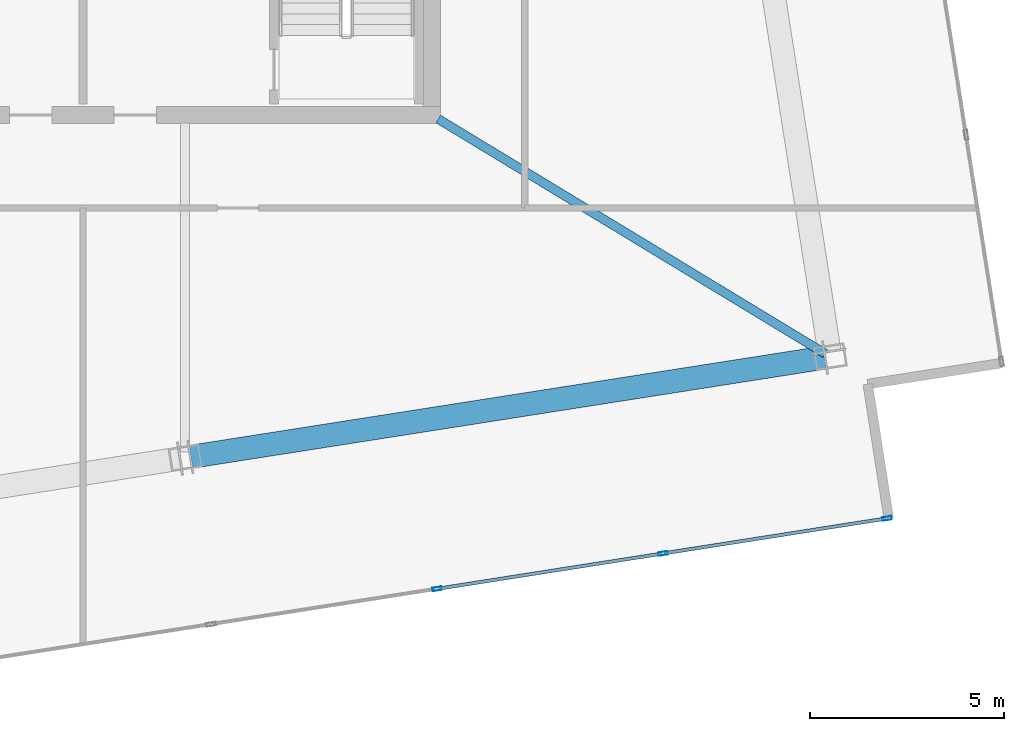
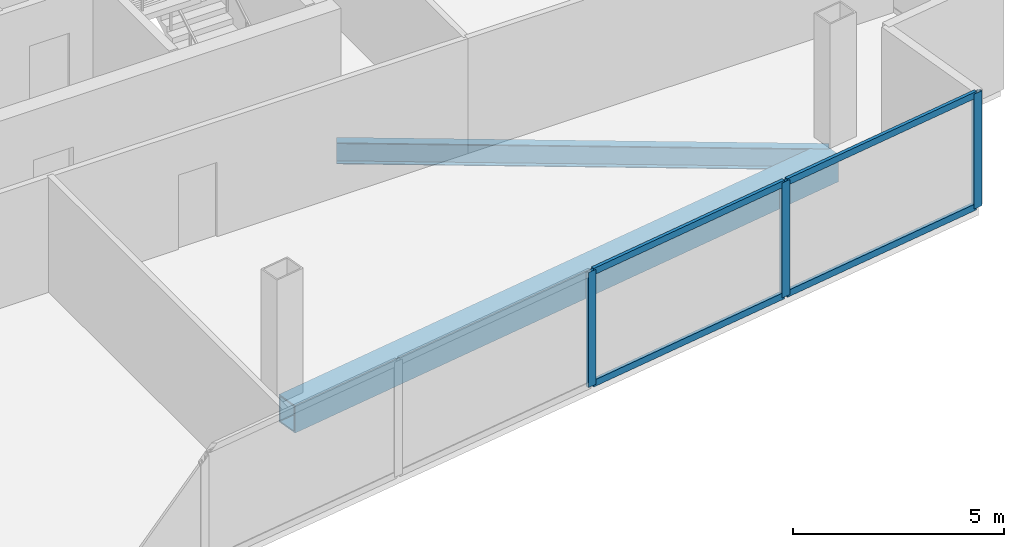
# One storey, part 6 of 17: 7 members, 2 beams, 1 element without a shape of its own.
"""IFC4 building model written with IfcOpenShell, lengths in metres."""

import ifcopenshell
import ifcopenshell.guid

model = None  # the IFC model being written
_history = None  # IfcOwnerHistory: only IFC2X3 demands one
_inside = {}  # id of a spatial element -> (the spatial element, [elements in it])
_under = {}  # id of a project, library or spatial element -> (it, [spatial elements below it])
_declared = {}  # id of a project -> (the project, [libraries it declares])
_typed = {}  # id of a type object -> (the type object, [elements of that type])
_made_of = {}  # id of a material, layer set ... -> (it, [elements and type objects made of it])


def new_model(schema):
    """Start an empty IFC model of exactly this schema.

    Asked for "IFC4X3", IfcOpenShell would pick the latest addendum, in which some entities
    have other attributes; the version numbers below select the first issue.
    IFC2X3 requires an IfcOwnerHistory on every rooted entity: one is made here for all.
    """
    global model, _history
    if schema == "IFC4X3":
        model = ifcopenshell.file(schema_version=(4, 3, 0, 0))
    else:
        model = ifcopenshell.file(schema=schema)
    _inside.clear()
    _under.clear()
    _declared.clear()
    _typed.clear()
    _made_of.clear()
    _history = None
    if model.schema == "IFC2X3":
        org = make("IfcOrganization", Name="unknown")
        user = make(
            "IfcPersonAndOrganization",
            ThePerson=make("IfcPerson", FamilyName="unknown"),
            TheOrganization=org,
        )
        app = make(
            "IfcApplication",
            ApplicationDeveloper=org,
            Version="unknown",
            ApplicationFullName="unknown",
            ApplicationIdentifier="unknown",
        )
        _history = make(
            "IfcOwnerHistory",
            OwningUser=user,
            OwningApplication=app,
            ChangeAction="ADDED",
            CreationDate=0,
        )
    return model


def make(cls, **values):
    """One entity of the class cls with the attributes given. An attribute that is None is left unset."""
    return model.create_entity(
        cls, **{name: value for name, value in values.items() if value is not None}
    )


def rooted(cls, **values):
    """An entity with a GlobalId (a new one), such as an element, a storey or a relation."""
    return make(cls, GlobalId=ifcopenshell.guid.new(), OwnerHistory=_history, **values)


def si_unit(unit_type, name, prefix=None):
    """IfcSIUnit, for example si_unit("LENGTHUNIT", "METRE", prefix="MILLI")."""
    return make("IfcSIUnit", UnitType=unit_type, Prefix=prefix, Name=name)


def assignment(units):
    """IfcUnitAssignment: the units of a project."""
    return None if units is None else make("IfcUnitAssignment", Units=units)


def point(xyz):
    """IfcCartesianPoint."""
    return None if xyz is None else make("IfcCartesianPoint", Coordinates=xyz)


def direction(xyz):
    """IfcDirection."""
    return None if xyz is None else make("IfcDirection", DirectionRatios=xyz)


def frame(location, z_axis=None, x_axis=None):
    """IfcAxis2Placement3D, a coordinate frame: its origin and axes. An axis left out is left unset."""
    return make(
        "IfcAxis2Placement3D",
        Location=point(location),
        Axis=direction(z_axis),
        RefDirection=direction(x_axis),
    )


def frame_2d(location, x_axis=None):
    """IfcAxis2Placement2D, a coordinate frame in the plane: its origin and x axis."""
    return make(
        "IfcAxis2Placement2D", Location=point(location), RefDirection=direction(x_axis)
    )


def origin():
    """The frame at (0, 0, 0) with its axes left unset."""
    return frame((0.0, 0.0, 0.0))


def origin_2d():
    """The frame at (0, 0) in the plane with its x axis left unset."""
    return frame_2d((0.0, 0.0))


def place(relative_to, where):
    """IfcLocalPlacement: puts the frame where relative to a parent placement (None: the world)."""
    return make(
        "IfcLocalPlacement", PlacementRelTo=relative_to, RelativePlacement=where
    )


def context(
    kind, dimensions, precision=None, world=None, true_north=None, identifier=None
):
    """IfcGeometricRepresentationContext, for example the 3D "Model" context."""
    return make(
        "IfcGeometricRepresentationContext",
        ContextIdentifier=identifier,
        ContextType=kind,
        CoordinateSpaceDimension=dimensions,
        Precision=precision,
        WorldCoordinateSystem=world,
        TrueNorth=true_north,
    )


def subcontext(parent, identifier, kind, view, scale=None):
    """IfcGeometricRepresentationSubContext, for example "Body" below "Model"."""
    return make(
        "IfcGeometricRepresentationSubContext",
        ContextIdentifier=identifier,
        ContextType=kind,
        ParentContext=parent,
        TargetScale=scale,
        TargetView=view,
    )


def project(units=None, contexts=None):
    """IfcProject with its units and contexts."""
    return rooted(
        "IfcProject",
        Name="project",
        RepresentationContexts=contexts,
        UnitsInContext=assignment(units),
    )


def spatial(cls, under=None, at=None, **own):
    """A site, building, storey or space (cls), placed at a placement, below another one or the project."""
    s = rooted(cls, ObjectPlacement=at, **own)
    if under is not None:
        _under.setdefault(under.id(), (under, []))[1].append(s)
    return s


def profile(cls, at=None, kind="AREA", **sizes):
    """A parametric profile (cls). Its sizes go by their IFC names, for example OverallWidth=200.0."""
    return make(cls, ProfileType=kind, Position=at, **sizes)


def hollow_rectangle(**sizes):
    """IfcRectangleHollowProfileDef."""
    return profile("IfcRectangleHollowProfileDef", **sizes)


def i_section(**sizes):
    """IfcIShapeProfileDef."""
    return profile("IfcIShapeProfileDef", **sizes)


def extrude(swept, where, along, depth):
    """IfcExtrudedAreaSolid: the profile swept, set in the frame where, extruded along a direction by depth."""
    return make(
        "IfcExtrudedAreaSolid",
        SweptArea=swept,
        Position=where,
        ExtrudedDirection=direction(along),
        Depth=depth,
    )


def shape(context_of_items, identifier, shape_type, items):
    """IfcShapeRepresentation: the items that make up one representation, for example the "Body"."""
    return make(
        "IfcShapeRepresentation",
        ContextOfItems=context_of_items,
        RepresentationIdentifier=identifier,
        RepresentationType=shape_type,
        Items=items,
    )


def material(Name=None, Category=None):
    """IfcMaterial."""
    return make("IfcMaterial", Name=Name, Category=Category)


def material_profile(
    of_material, cross_section, Name=None, Category=None, Priority=None
):
    """IfcMaterialProfile: a cross section and its material."""
    return make(
        "IfcMaterialProfile",
        Name=Name,
        Material=of_material,
        Profile=cross_section,
        Priority=Priority,
        Category=Category,
    )


def profile_set(profiles, Name=None, composite=None):
    """IfcMaterialProfileSet."""
    return make(
        "IfcMaterialProfileSet",
        Name=Name,
        MaterialProfiles=profiles,
        CompositeProfile=composite,
    )


def made_of(thing, what):
    """Note that an element or type object is made of a material, layer set ...; save() writes the relation."""
    if what is not None:
        _made_of.setdefault(what.id(), (what, []))[1].append(thing)
    return thing


def type_object(cls, material=None, **own):
    """A type object (cls), such as IfcWallType, which elements share."""
    return made_of(rooted(cls, **own), material)


def element(
    cls,
    number,
    at=None,
    inside=None,
    cuts=None,
    type_object=None,
    material=None,
    context=None,
    identifier="Body",
    shape_type=None,
    held_by="IfcProductDefinitionShape",
    body=None,
    shapes=None,
    **own,
):
    """One element of the class cls, such as IfcWall. Its Tag is "e" and its number.

    at: its placement. inside: the storey or other place that contains it. cuts: it is an
    opening in that element (IfcRelVoidsElement). A single representation is given by context,
    identifier, shape_type and body (its items); several are given by shapes. held_by: the class
    of the entity that holds the representations. save() writes the other relations.
    """
    e = rooted(cls, Tag="e%d" % number, ObjectPlacement=at, **own)
    if body is not None:
        shapes = [shape(context, identifier, shape_type, body)]
    if shapes is not None:
        e.Representation = make(held_by, Representations=shapes)
    if inside is not None:
        _inside.setdefault(inside.id(), (inside, []))[1].append(e)
    if cuts is not None:
        rooted(
            "IfcRelVoidsElement", RelatingBuildingElement=cuts, RelatedOpeningElement=e
        )
    if type_object is not None:
        _typed.setdefault(type_object.id(), (type_object, []))[1].append(e)
    return made_of(e, material)


def aggregate(whole, parts):
    """IfcRelAggregates: a whole, such as a stair, and the parts it consists of."""
    return rooted("IfcRelAggregates", RelatingObject=whole, RelatedObjects=parts)


def save(model, path):
    """Write the relations noted so far, then the file.

    IfcRelAggregates (storeys below a building ...), IfcRelContainedInSpatialStructure (elements
    in a storey), IfcRelDefinesByType, IfcRelAssociatesMaterial and IfcRelDeclares: one each for
    every whole, place, type object, material and project.
    """
    for whole, parts in _under.values():
        aggregate(whole, parts)
    for where, things in _inside.values():
        rooted(
            "IfcRelContainedInSpatialStructure",
            RelatedElements=things,
            RelatingStructure=where,
        )
    for kind, things in _typed.values():
        rooted("IfcRelDefinesByType", RelatedObjects=things, RelatingType=kind)
    for what, things in _made_of.values():
        rooted("IfcRelAssociatesMaterial", RelatedObjects=things, RelatingMaterial=what)
    for by, libraries in _declared.values():
        rooted("IfcRelDeclares", RelatingContext=by, RelatedDefinitions=libraries)
    model.write(path)


model = new_model("IFC4")

# Units and contexts
model_context = context("Model", 3, precision=1e-05, world=origin(), true_north=direction((0.0, 1.0)))
body_context = subcontext(model_context, "Body", "Model", "MODEL_VIEW")
ifc_project = project(units=[si_unit("LENGTHUNIT", "METRE"), si_unit("AREAUNIT", "SQUARE_METRE"), si_unit("VOLUMEUNIT", "CUBIC_METRE"), si_unit("PLANEANGLEUNIT", "RADIAN"), si_unit("MASSUNIT", "GRAM", prefix="KILO")], contexts=[model_context])

# Site, building, storey
site_placement = place(None, origin())
site = spatial("IfcSite", under=ifc_project, at=site_placement, CompositionType="ELEMENT")
building_placement = place(site_placement, origin())
building = spatial("IfcBuilding", under=site, at=building_placement, Name="Haldenkirk Collegiate Tower", CompositionType="ELEMENT")
storey_placement = place(building_placement, frame((0.0, 0.0, 367.800048828125)))
storey = spatial("IfcBuildingStorey", under=building, at=storey_placement, Name="L93", CompositionType="ELEMENT", Elevation=367.800048828125)

# Beams
ifc_material_1 = material(Name="Steel ASTM A992 Grade 50", Category="steel")
ifc_material_profile_1 = material_profile(ifc_material_1, i_section(OverallWidth=0.22998046875, OverallDepth=0.616943359375, WebThickness=0.01318359375, FlangeThickness=0.022216796875, at=origin_2d()), Name="W24X94")
ifc_profile_set_1 = profile_set([ifc_material_profile_1], Name="Steel ASTM A992 Grade 50")
beam_type_1 = type_object("IfcBeamType", Name="BM-GIRDER-W24X94", PredefinedType="BEAM", material=ifc_profile_set_1)
beam_1_placement = place(storey_placement, frame((55.156494140625, 11.840087890625, -0.57861328125), z_axis=(-0.855035491558, 0.518569482496, 0.0), x_axis=(-0.518569482496, -0.855035491558, 0.0)))
element("IfcBeam", 1, at=beam_1_placement, inside=storey, type_object=beam_type_1, Name="L93 crown radial floor beam 1", PredefinedType="BEAM", context=body_context, shape_type="SweptSolid", body=[
    extrude(i_section(OverallWidth=0.22998046875, OverallDepth=0.616943359375, WebThickness=0.01318359375, FlangeThickness=0.022216796875, at=origin_2d()), origin(), (0.0, 0.0, 1.0), 11.678466796875),
])
ifc_material_2 = material(Name="Steel ASTM A572 Grade 50", Category="steel")
ifc_material_profile_2 = material_profile(ifc_material_2, hollow_rectangle(XDim=0.60009765625, YDim=0.800048828125, WallThickness=0.0400390625, at=origin_2d()), Name="BOX800X600X40")
ifc_profile_set_2 = profile_set([ifc_material_profile_2], Name="Steel ASTM A572 Grade 50")
beam_type_2 = type_object("IfcBeamType", Name="BM-SPANDREL-BOX800X600X40", PredefinedType="SPANDREL", material=ifc_profile_set_2)
beam_2_placement = place(storey_placement, frame((38.785888671875, 9.178466796875, -0.670166015625), z_axis=(0.987959171117, 0.154714822192, 0.0), x_axis=(-0.154714822192, 0.987959171117, 0.0)))
element("IfcBeam", 2, at=beam_2_placement, inside=storey, type_object=beam_type_2, Name="L93 Crown Ring Frame perimeter girder 8", PredefinedType="SPANDREL", context=body_context, shape_type="SweptSolid", body=[
    extrude(hollow_rectangle(XDim=0.60009765625, YDim=0.800048828125, WallThickness=0.0400390625, at=origin_2d()), origin(), (0.0, 0.0, 1.0), 16.550048828125),
])

# Curtain wall, members
ifc_material_3 = material(Name="Anodised architectural bronze aluminium", Category="aluminium")
curtain_wall_type = type_object("IfcCurtainWallType", Name="CW-SYS6-CROWN", PredefinedType="USERDEFINED", material=ifc_material_3)
curtain_wall_placement = place(storey_placement, origin())
curtain_wall = element("IfcCurtainWall", 3, at=curtain_wall_placement, inside=storey, type_object=curtain_wall_type, Name="L93 Closed crown ring ceramic-fritted bronze screen curtain wall", ObjectType="UNITISED CURTAIN WALL", PredefinedType="USERDEFINED")
ifc_material_profile_3 = material_profile(ifc_material_3, hollow_rectangle(XDim=0.090087890625, YDim=0.239990234375, WallThickness=0.0048828125, at=origin_2d()), Name="CW-MUL-06")
ifc_profile_set_3 = profile_set([ifc_material_profile_3], Name="Anodised architectural bronze aluminium")
member_type_1 = type_object("IfcMemberType", Name="CW-MUL-06", PredefinedType="MULLION", material=ifc_profile_set_3)
member_1_placement = place(storey_placement, frame((56.753173828125, 7.589111328125, 0.0), z_axis=(0.0, 0.0, 1.0), x_axis=(0.154708982189, -0.987960085646, 0.0)))
member_1 = element("IfcMember", 4, at=member_1_placement, type_object=member_type_1, Name="CW-06 mullion 1", PredefinedType="MULLION", context=body_context, shape_type="SweptSolid", body=[
    extrude(hollow_rectangle(XDim=0.090087890625, YDim=0.239990234375, WallThickness=0.0048828125, at=origin_2d()), origin(), (0.0, 0.0, 1.0), 3.329833984375),
])
member_2_placement = place(storey_placement, frame((50.96875, 6.68310546875, 0.0), z_axis=(0.0, 0.0, 1.0), x_axis=(0.154708982189, -0.987960085646, 0.0)))
member_2 = element("IfcMember", 5, at=member_2_placement, type_object=member_type_1, Name="CW-06 mullion 2", PredefinedType="MULLION", context=body_context, shape_type="SweptSolid", body=[
    extrude(hollow_rectangle(XDim=0.090087890625, YDim=0.239990234375, WallThickness=0.0048828125, at=origin_2d()), origin(), (0.0, 0.0, 1.0), 3.329833984375),
])
member_3_placement = place(storey_placement, frame((45.1396484375, 5.7705078125, 0.0), z_axis=(0.0, 0.0, 1.0), x_axis=(0.154708982189, -0.987960085646, 0.0)))
member_3 = element("IfcMember", 6, at=member_3_placement, type_object=member_type_1, Name="CW-06 mullion 3", PredefinedType="MULLION", context=body_context, shape_type="SweptSolid", body=[
    extrude(hollow_rectangle(XDim=0.090087890625, YDim=0.239990234375, WallThickness=0.0048828125, at=origin_2d()), origin(), (0.0, 0.0, 1.0), 3.329833984375),
])
ifc_material_profile_4 = material_profile(ifc_material_3, hollow_rectangle(XDim=0.090087890625, YDim=0.18994140625, WallThickness=0.0048828125, at=origin_2d()), Name="CW-TRN-06")
ifc_profile_set_4 = profile_set([ifc_material_profile_4], Name="Anodised architectural bronze aluminium")
member_type_2 = type_object("IfcMemberType", Name="CW-TRN-06", PredefinedType="USERDEFINED", material=ifc_profile_set_4)
member_4_placement = place(storey_placement, frame((56.708740234375, 7.58203125, 0.044921875), z_axis=(-0.987961315074, -0.154701130951, 0.0), x_axis=(0.154701130951, -0.987961315074, 0.0)))
member_4 = element("IfcMember", 7, at=member_4_placement, type_object=member_type_2, Name="CW-06 transom 1.1", ObjectType="TRANSOM", PredefinedType="USERDEFINED", context=body_context, shape_type="SweptSolid", body=[
    extrude(hollow_rectangle(XDim=0.090087890625, YDim=0.18994140625, WallThickness=0.0048828125, at=origin_2d()), origin(), (0.0, 0.0, 1.0), 5.764892578125),
])
member_5_placement = place(storey_placement, frame((56.708740234375, 7.58203125, 3.284912109375), z_axis=(-0.987961315074, -0.154701130951, 0.0), x_axis=(0.154701130951, -0.987961315074, 0.0)))
member_5 = element("IfcMember", 8, at=member_5_placement, type_object=member_type_2, Name="CW-06 transom 1.2", ObjectType="TRANSOM", PredefinedType="USERDEFINED", context=body_context, shape_type="SweptSolid", body=[
    extrude(hollow_rectangle(XDim=0.090087890625, YDim=0.18994140625, WallThickness=0.0048828125, at=origin_2d()), origin(), (0.0, 0.0, 1.0), 5.764892578125),
])
member_6_placement = place(storey_placement, frame((50.92431640625, 6.67626953125, 0.044921875), z_axis=(-0.987958095237, -0.154721692257, 0.0), x_axis=(0.154721692257, -0.987958095237, 0.0)))
member_6 = element("IfcMember", 9, at=member_6_placement, type_object=member_type_2, Name="CW-06 transom 2.1", ObjectType="TRANSOM", PredefinedType="USERDEFINED", context=body_context, shape_type="SweptSolid", body=[
    extrude(hollow_rectangle(XDim=0.090087890625, YDim=0.18994140625, WallThickness=0.0048828125, at=origin_2d()), origin(), (0.0, 0.0, 1.0), 5.81005859375),
])
member_7_placement = place(storey_placement, frame((50.92431640625, 6.67626953125, 3.284912109375), z_axis=(-0.987958095237, -0.154721692257, 0.0), x_axis=(0.154721692257, -0.987958095237, 0.0)))
member_7 = element("IfcMember", 10, at=member_7_placement, type_object=member_type_2, Name="CW-06 transom 2.2", ObjectType="TRANSOM", PredefinedType="USERDEFINED", context=body_context, shape_type="SweptSolid", body=[
    extrude(hollow_rectangle(XDim=0.090087890625, YDim=0.18994140625, WallThickness=0.0048828125, at=origin_2d()), origin(), (0.0, 0.0, 1.0), 5.81005859375),
])
aggregate(curtain_wall, [member_1, member_2, member_3, member_4, member_5, member_6, member_7])

save(model, "model.ifc")
